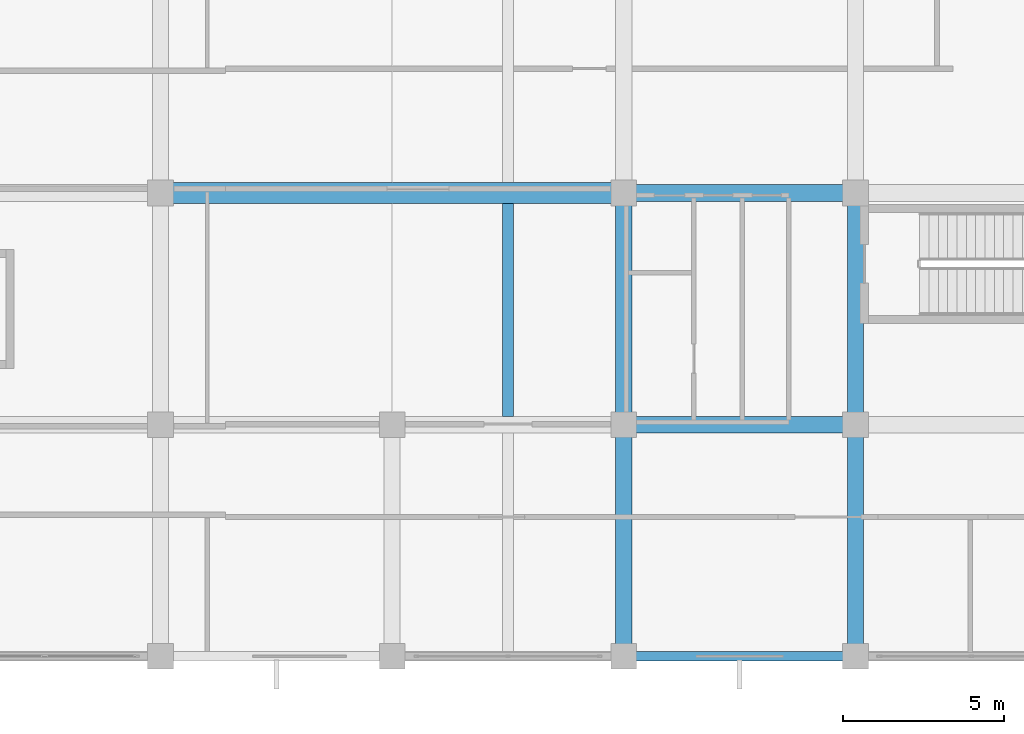
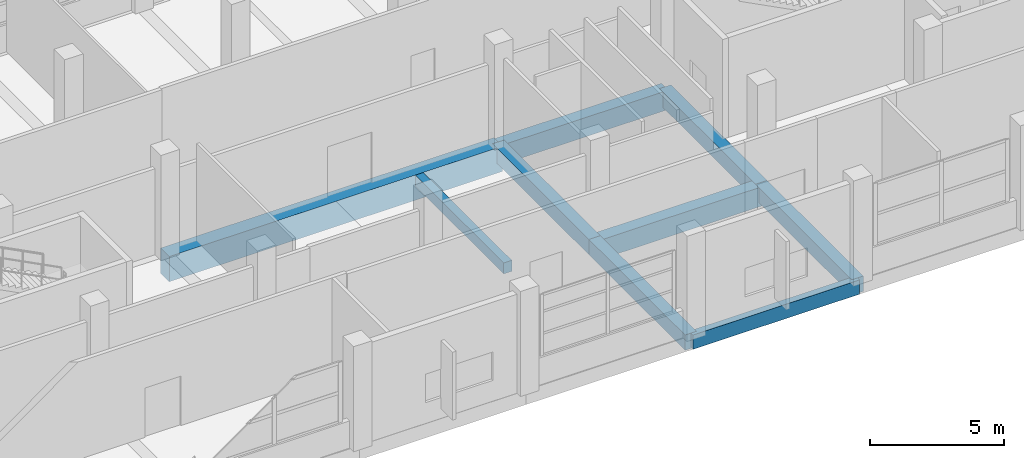
# One storey, part 26 of 140: 9 beams.
"""IFC4 building model written with IfcOpenShell, lengths in metres."""

from ifc_helpers import new_model, si_unit, direction, frame, origin, origin_2d, place, context, subcontext, project, spatial, rectangle, extrude, material, material_profile, profile_set, type_object, element, save


model = new_model("IFC4")

# Units and contexts
model_context = context("Model", 3, precision=1e-05, world=origin(), true_north=direction((0.0, 1.0)))
body_context = subcontext(model_context, "Body", "Model", "MODEL_VIEW")
ifc_project = project(units=[si_unit("LENGTHUNIT", "METRE"), si_unit("AREAUNIT", "SQUARE_METRE"), si_unit("VOLUMEUNIT", "CUBIC_METRE"), si_unit("PLANEANGLEUNIT", "RADIAN"), si_unit("MASSUNIT", "GRAM", prefix="KILO")], contexts=[model_context])

# Site, building, storey
site_placement = place(None, origin())
site = spatial("IfcSite", under=ifc_project, at=site_placement, CompositionType="ELEMENT")
building_placement = place(site_placement, origin())
building = spatial("IfcBuilding", under=site, at=building_placement, Name="Seraya Terrace Polytechnic", CompositionType="ELEMENT")
storey_placement = place(building_placement, frame((0.0, 0.0, 9.60009765625)))
storey = spatial("IfcBuildingStorey", under=building, at=storey_placement, Name="L02", CompositionType="ELEMENT", Elevation=9.60009765625)

# Beams
ifc_material = material(Name="Concrete C40/50", Category="concrete")
ifc_material_profile_1 = material_profile(ifc_material, rectangle(XDim=0.64990234375, YDim=1.14990234375, at=origin_2d()), Name="RC 650x1150")
ifc_profile_set_1 = profile_set([ifc_material_profile_1], Name="Concrete C40/50")
beam_type_1 = type_object("IfcBeamType", Name="BG-02", PredefinedType="USERDEFINED", material=ifc_profile_set_1)
beam_1_placement = place(storey_placement, frame((57.60009765625, 14.39990234375, -0.5751953125), z_axis=(1.0, 0.0, 0.0), x_axis=(0.0, 1.0, 0.0)))
element("IfcBeam", 1, at=beam_1_placement, inside=storey, type_object=beam_type_1, Name="Beam BG-02 L02 X (57.6..72.0, 14.4)", ObjectType="GIRDER", PredefinedType="USERDEFINED", context=body_context, shape_type="SweptSolid", body=[
    extrude(rectangle(XDim=0.64990234375, YDim=1.14990234375, at=origin_2d()), origin(), (0.0, 0.0, 1.0), 14.39990234375),
])
ifc_material_profile_2 = material_profile(ifc_material, rectangle(XDim=0.52001953125, YDim=0.8798828125, at=origin_2d()), Name="RC 520x880")
ifc_profile_set_2 = profile_set([ifc_material_profile_2], Name="Concrete C40/50")
beam_type_2 = type_object("IfcBeamType", Name="BM-04", PredefinedType="BEAM", material=ifc_profile_set_2)
for number, where, z_axis, x_axis, name in (
    (2, (72.0, 7.199951171875, -0.440185546875), (1.0, 0.0, 0.0), (0.0, 1.0, 0.0), "Beam BM-04 L02 X (72.0..79.2, 7.2)"),
    (3, (72.0, 14.39990234375, -0.440185546875), (1.0, 0.0, 0.0), (0.0, 1.0, 0.0), "Beam BM-04 L02 X (72.0..79.2, 14.4)"),
):
    element("IfcBeam", number, at=place(storey_placement, frame(where, z_axis=z_axis, x_axis=x_axis)), inside=storey, type_object=beam_type_2, Name=name, PredefinedType="BEAM", context=body_context, shape_type="SweptSolid", body=[
        extrude(rectangle(XDim=0.52001953125, YDim=0.8798828125, at=origin_2d()), origin(), (0.0, 0.0, 1.0), 7.199951171875),
    ])
ifc_material_profile_3 = material_profile(ifc_material, rectangle(XDim=0.5, YDim=0.699951171875, at=origin_2d()), Name="RC 500x700")
ifc_profile_set_3 = profile_set([ifc_material_profile_3], Name="Concrete C40/50")
beam_type_3 = type_object("IfcBeamType", Name="BM-07", PredefinedType="BEAM", material=ifc_profile_set_3)
for number, where, z_axis, x_axis, name in (
    (4, (72.0, 0.0, -0.35009765625), (0.0, 1.0, 0.0), (-1.0, 0.0, 0.0), "Beam BM-07 L02 Y (72.0, 0.0..7.2)"),
    (5, (72.0, 7.199951171875, -0.35009765625), (0.0, 1.0, 0.0), (-1.0, 0.0, 0.0), "Beam BM-07 L02 Y (72.0, 7.2..14.4)"),
    (6, (79.199951171875, 0.0, -0.35009765625), (0.0, 1.0, 0.0), (-1.0, 0.0, 0.0), "Beam BM-07 L02 Y (79.2, 0.0..7.2)"),
    (7, (79.199951171875, 7.199951171875, -0.35009765625), (0.0, 1.0, 0.0), (-1.0, 0.0, 0.0), "Beam BM-07 L02 Y (79.2, 7.2..14.4)"),
):
    element("IfcBeam", number, at=place(storey_placement, frame(where, z_axis=z_axis, x_axis=x_axis)), inside=storey, type_object=beam_type_3, Name=name, PredefinedType="BEAM", context=body_context, shape_type="SweptSolid", body=[
        extrude(rectangle(XDim=0.5, YDim=0.699951171875, at=origin_2d()), origin(), (0.0, 0.0, 1.0), 7.199951171875),
    ])
ifc_material_profile_4 = material_profile(ifc_material, rectangle(XDim=0.35009765625, YDim=0.5, at=origin_2d()), Name="RC 350x500")
ifc_profile_set_4 = profile_set([ifc_material_profile_4], Name="Concrete C40/50")
beam_type_4 = type_object("IfcBeamType", Name="JS-03", PredefinedType="JOIST", material=ifc_profile_set_4)
beam_2_placement = place(storey_placement, frame((68.39990234375, 7.4599609375, -0.25), z_axis=(0.0, 1.0, 0.0), x_axis=(-1.0, 0.0, 0.0)))
element("IfcBeam", 8, at=beam_2_placement, inside=storey, type_object=beam_type_4, Name="Secondary joist JS-03 L02", PredefinedType="JOIST", context=body_context, shape_type="SweptSolid", body=[
    extrude(rectangle(XDim=0.35009765625, YDim=0.5, at=origin_2d()), origin(), (0.0, 0.0, 1.0), 6.614990234375),
])
ifc_material_profile_5 = material_profile(ifc_material, rectangle(XDim=0.300048828125, YDim=0.64990234375, at=origin_2d()), Name="RC 300x650")
ifc_profile_set_5 = profile_set([ifc_material_profile_5], Name="Concrete C40/50")
beam_type_5 = type_object("IfcBeamType", Name="SP-01", PredefinedType="SPANDREL", material=ifc_profile_set_5)
beam_3_placement = place(storey_placement, frame((72.0, 0.0, -0.3251953125), z_axis=(1.0, 0.0, 0.0), x_axis=(0.0, 1.0, 0.0)))
element("IfcBeam", 9, at=beam_3_placement, inside=storey, type_object=beam_type_5, Name="Beam SP-01 L02 X (72.0..79.2, 0.0)", PredefinedType="SPANDREL", context=body_context, shape_type="SweptSolid", body=[
    extrude(rectangle(XDim=0.300048828125, YDim=0.64990234375, at=origin_2d()), origin(), (0.0, 0.0, 1.0), 7.199951171875),
])

save(model, "model.ifc")
